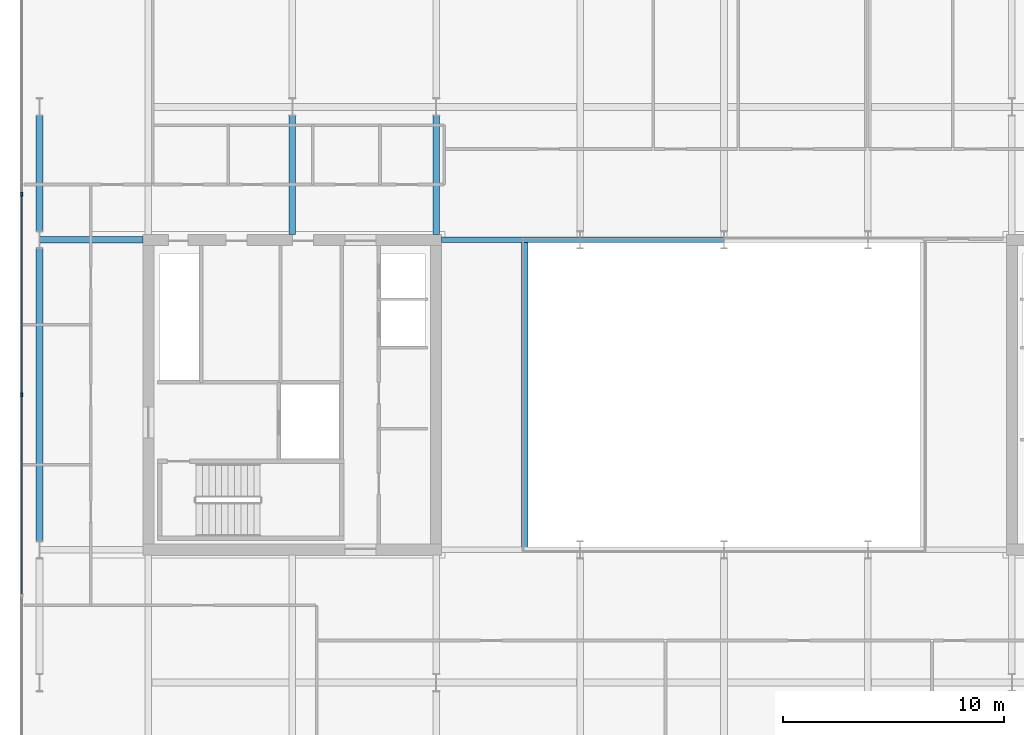
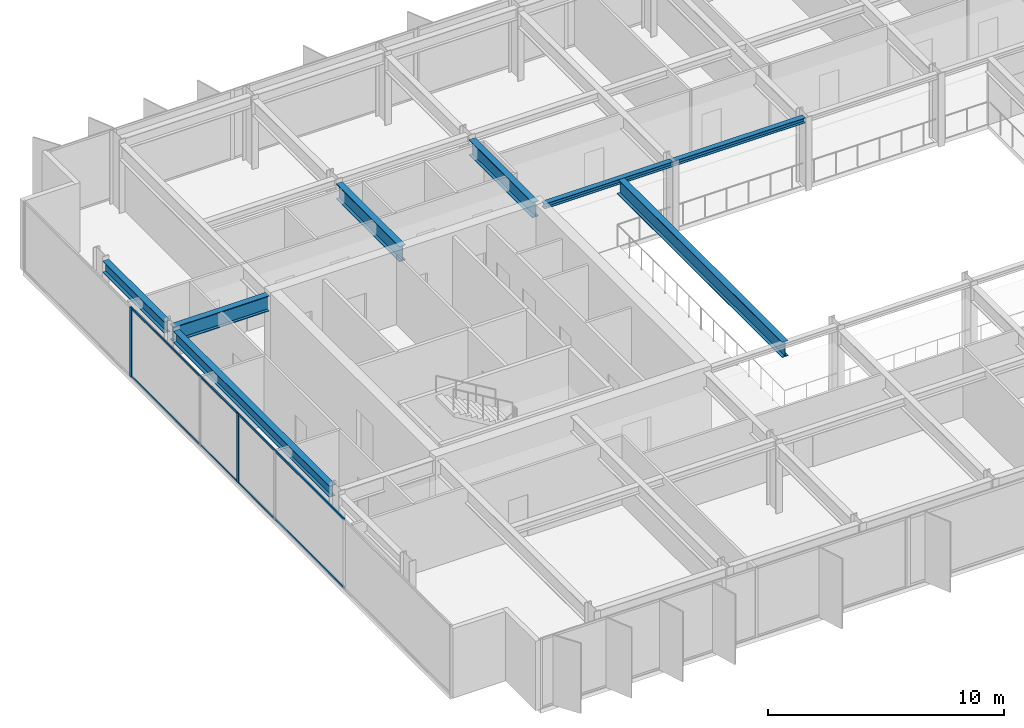
# One storey, part 4 of 19: 8 beams, 6 members, 1 element without a shape of its own.
"""IFC4 building model written with IfcOpenShell, lengths in metres."""

from ifc_helpers import new_model, si_unit, direction, frame, origin, origin_2d, place, context, subcontext, project, spatial, rectangle, i_section, extrude, material, layer, layer_set, material_profile, profile_set, type_object, element, aggregate, save


model = new_model("IFC4")

# Units and contexts
model_context = context("Model", 3, precision=1e-05, world=origin(), true_north=direction((0.0, 1.0)))
body_context = subcontext(model_context, "Body", "Model", "MODEL_VIEW")
ifc_project = project(units=[si_unit("LENGTHUNIT", "METRE"), si_unit("AREAUNIT", "SQUARE_METRE"), si_unit("VOLUMEUNIT", "CUBIC_METRE"), si_unit("PLANEANGLEUNIT", "RADIAN"), si_unit("MASSUNIT", "GRAM", prefix="KILO")], contexts=[model_context])

# Site, building, storey
site_placement = place(None, origin())
site = spatial("IfcSite", under=ifc_project, at=site_placement, CompositionType="ELEMENT")
building_placement = place(site_placement, origin())
building = spatial("IfcBuilding", under=site, at=building_placement, Name="Putna Gate Headquarters", CompositionType="ELEMENT")
storey_placement = place(building_placement, frame((0.0, 0.0, 255.60009765625)))
storey = spatial("IfcBuildingStorey", under=building, at=storey_placement, Name="L64", CompositionType="ELEMENT", Elevation=255.60009765625)

# Beams
ifc_material_1 = material(Name="Steel S355J2", Category="steel")
ifc_material_profile_1 = material_profile(ifc_material_1, i_section(OverallWidth=0.260009765625, OverallDepth=0.260009765625, WebThickness=0.010009765625, FlangeThickness=0.017578125, at=origin_2d()), Name="Steel S355J2")
ifc_profile_set_1 = profile_set([ifc_material_profile_1], Name="Steel S355J2")
beam_type_1 = type_object("IfcBeamType", Name="BM-ATRIUM-HEB260", PredefinedType="BEAM", material=ifc_profile_set_1)
beam_1_placement = place(storey_placement, frame((26.235107421875, 33.0, 3.4580078125), z_axis=(1.0, 0.0, 0.0), x_axis=(0.0, 1.0, 0.0)))
element("IfcBeam", 1, at=beam_1_placement, inside=storey, type_object=beam_type_1, Name="L64 Atrium Edge Beam AN1", PredefinedType="BEAM", context=body_context, shape_type="SweptSolid", body=[
    extrude(i_section(OverallWidth=0.260009765625, OverallDepth=0.260009765625, WebThickness=0.010009765625, FlangeThickness=0.017578125, at=origin_2d()), origin(), (0.0, 0.0, 1.0), 6.2587890625),
])
beam_2_placement = place(storey_placement, frame((32.506103515625, 33.0, 3.4580078125), z_axis=(1.0, 0.0, 0.0), x_axis=(0.0, 1.0, 0.0)))
element("IfcBeam", 2, at=beam_2_placement, inside=storey, type_object=beam_type_1, Name="L64 Atrium Edge Beam AN2", PredefinedType="BEAM", context=body_context, shape_type="SweptSolid", body=[
    extrude(i_section(OverallWidth=0.260009765625, OverallDepth=0.260009765625, WebThickness=0.010009765625, FlangeThickness=0.017578125, at=origin_2d()), origin(), (0.0, 0.0, 1.0), 6.48779296875),
])
ifc_material_profile_2 = material_profile(ifc_material_1, i_section(OverallWidth=0.300048828125, OverallDepth=0.800048828125, WebThickness=0.017578125, FlangeThickness=0.032958984375, at=origin_2d()), Name="Steel S355J2")
ifc_profile_set_2 = profile_set([ifc_material_profile_2], Name="Steel S355J2")
beam_type_2 = type_object("IfcBeamType", Name="BM-GIRD-P-HEB800", PredefinedType="USERDEFINED", material=ifc_profile_set_2)
beam_3_placement = place(storey_placement, frame((8.0859375, 33.0, 3.18798828125), z_axis=(1.0, 0.0, 0.0), x_axis=(0.0, 1.0, 0.0)))
element("IfcBeam", 3, at=beam_3_placement, inside=storey, type_object=beam_type_2, Name="L64 West Wing Girder Y33", ObjectType="GIRDER", PredefinedType="USERDEFINED", context=body_context, shape_type="SweptSolid", body=[
    extrude(i_section(OverallWidth=0.300048828125, OverallDepth=0.800048828125, WebThickness=0.017578125, FlangeThickness=0.032958984375, at=origin_2d()), origin(), (0.0, 0.0, 1.0), 4.678955078125),
])
for number, where, z_axis, x_axis, name in (
    (4, (19.5, 33.235107421875, 3.18798828125), (0.0, 1.0, 0.0), (-1.0, 0.0, 0.0), "L64 North Primary Girder X19-1"),
    (5, (26.0, 33.235107421875, 3.18798828125), (0.0, 1.0, 0.0), (-1.0, 0.0, 0.0), "L64 North Primary Girder X26-1"),
):
    element("IfcBeam", number, at=place(storey_placement, frame(where, z_axis=z_axis, x_axis=x_axis)), inside=storey, type_object=beam_type_2, Name=name, ObjectType="GIRDER", PredefinedType="USERDEFINED", context=body_context, shape_type="SweptSolid", body=[
        extrude(i_section(OverallWidth=0.300048828125, OverallDepth=0.800048828125, WebThickness=0.017578125, FlangeThickness=0.032958984375, at=origin_2d()), origin(), (0.0, 0.0, 1.0), 5.369873046875),
    ])
beam_4_placement = place(storey_placement, frame((30.0, 19.010009765625, 3.18798828125), z_axis=(0.0, 1.0, 0.0), x_axis=(-1.0, 0.0, 0.0)))
element("IfcBeam", 6, at=beam_4_placement, inside=storey, type_object=beam_type_2, Name="L64 Atrium Trim Girder AW", ObjectType="GIRDER", PredefinedType="USERDEFINED", context=body_context, shape_type="SweptSolid", body=[
    extrude(i_section(OverallWidth=0.300048828125, OverallDepth=0.800048828125, WebThickness=0.017578125, FlangeThickness=0.032958984375, at=origin_2d()), origin(), (0.0, 0.0, 1.0), 13.97998046875),
])
ifc_material_profile_3 = material_profile(ifc_material_1, i_section(OverallWidth=0.300048828125, OverallDepth=0.590087890625, WebThickness=0.012939453125, FlangeThickness=0.02490234375, at=origin_2d()), Name="Steel S355J2")
ifc_profile_set_3 = profile_set([ifc_material_profile_3], Name="Steel S355J2")
beam_type_3 = type_object("IfcBeamType", Name="BM-SPAN-Z4-HEA600", PredefinedType="SPANDREL", material=ifc_profile_set_3)
beam_5_placement = place(storey_placement, frame((8.080078125, 19.39501953125, 3.29296875), z_axis=(0.0, 1.0, 0.0), x_axis=(-1.0, 0.0, 0.0)))
element("IfcBeam", 7, at=beam_5_placement, inside=storey, type_object=beam_type_3, Name="L64 W End Spandrel 2", PredefinedType="SPANDREL", context=body_context, shape_type="SweptSolid", body=[
    extrude(i_section(OverallWidth=0.300048828125, OverallDepth=0.590087890625, WebThickness=0.012939453125, FlangeThickness=0.02490234375, at=origin_2d()), origin(), (0.0, 0.0, 1.0), 13.2099609375),
])
beam_6_placement = place(storey_placement, frame((8.080078125, 33.39501953125, 3.29296875), z_axis=(0.0, 1.0, 0.0), x_axis=(-1.0, 0.0, 0.0)))
element("IfcBeam", 8, at=beam_6_placement, inside=storey, type_object=beam_type_3, Name="L64 W End Spandrel 3", PredefinedType="SPANDREL", context=body_context, shape_type="SweptSolid", body=[
    extrude(i_section(OverallWidth=0.300048828125, OverallDepth=0.590087890625, WebThickness=0.012939453125, FlangeThickness=0.02490234375, at=origin_2d()), origin(), (0.0, 0.0, 1.0), 5.2099609375),
])

# Curtain wall, members
ifc_material_2 = material(Name="Anodised bronze aluminium curtain wall", Category="aluminium")
ifc_layer = layer(ifc_material_2, 0.179931640625)
ifc_layer_set = layer_set([ifc_layer], Name="Anodised bronze aluminium curtain wall")
curtain_wall_type = type_object("IfcCurtainWallType", Name="CW-SYS-Z5", PredefinedType="USERDEFINED", material=ifc_layer_set)
curtain_wall_placement = place(storey_placement, origin())
curtain_wall = element("IfcCurtainWall", 9, at=curtain_wall_placement, inside=storey, type_object=curtain_wall_type, Name="L64 West Curtain Wall", ObjectType="STICK CURTAIN WALL", PredefinedType="USERDEFINED")
ifc_material_3 = material(Name="Anodised bronze aluminium EN AW-6060", Category="aluminium")
ifc_material_profile_4 = material_profile(ifc_material_3, rectangle(XDim=0.070068359375, YDim=0.179931640625, at=origin_2d()), Name="Anodised bronze aluminium EN AW-6060")
ifc_profile_set_4 = profile_set([ifc_material_profile_4], Name="Anodised bronze aluminium EN AW-6060")
member_type_1 = type_object("IfcMemberType", Name="MULL-CWM-5", PredefinedType="MULLION", material=ifc_profile_set_4)
member_1_placement = place(storey_placement, frame((7.280029296875, 26.0, 0.0), z_axis=(0.0, 0.0, 1.0), x_axis=(-1.0, 0.0, 0.0)))
member_1 = element("IfcMember", 10, at=member_1_placement, type_object=member_type_1, Name="CWS-5 mullion 3", PredefinedType="MULLION", context=body_context, shape_type="SweptSolid", body=[
    extrude(rectangle(XDim=0.070068359375, YDim=0.179931640625, at=origin_2d()), origin(), (0.0, 0.0, 1.0), 3.587890625),
])
member_2_placement = place(storey_placement, frame((7.280029296875, 35.050048828125, 0.0), z_axis=(0.0, 0.0, 1.0), x_axis=(-1.0, 0.0, 0.0)))
member_2 = element("IfcMember", 11, at=member_2_placement, type_object=member_type_1, Name="CWS-5 mullion 4", PredefinedType="MULLION", context=body_context, shape_type="SweptSolid", body=[
    extrude(rectangle(XDim=0.070068359375, YDim=0.179931640625, at=origin_2d()), origin(), (0.0, 0.0, 1.0), 3.587890625),
])
ifc_material_profile_5 = material_profile(ifc_material_3, rectangle(XDim=0.06005859375, YDim=0.10009765625, at=origin_2d()), Name="Anodised bronze aluminium EN AW-6060")
ifc_profile_set_5 = profile_set([ifc_material_profile_5], Name="Anodised bronze aluminium EN AW-6060")
member_type_2 = type_object("IfcMemberType", Name="TRAN-CWT-5", PredefinedType="USERDEFINED", material=ifc_profile_set_5)
member_3_placement = place(storey_placement, frame((7.280029296875, 16.985107421875, 0.02978515625), z_axis=(0.0, 1.0, 0.0), x_axis=(-1.0, 0.0, 0.0)))
member_3 = element("IfcMember", 12, at=member_3_placement, type_object=member_type_2, Name="CWS-5 transom 2.1", ObjectType="TRANSOM", PredefinedType="USERDEFINED", context=body_context, shape_type="SweptSolid", body=[
    extrude(rectangle(XDim=0.06005859375, YDim=0.10009765625, at=origin_2d()), origin(), (0.0, 0.0, 1.0), 8.97998046875),
])
member_4_placement = place(storey_placement, frame((7.280029296875, 16.985107421875, 3.557861328125), z_axis=(0.0, 1.0, 0.0), x_axis=(-1.0, 0.0, 0.0)))
member_4 = element("IfcMember", 13, at=member_4_placement, type_object=member_type_2, Name="CWS-5 transom 2.2", ObjectType="TRANSOM", PredefinedType="USERDEFINED", context=body_context, shape_type="SweptSolid", body=[
    extrude(rectangle(XDim=0.06005859375, YDim=0.10009765625, at=origin_2d()), origin(), (0.0, 0.0, 1.0), 8.97998046875),
])
member_5_placement = place(storey_placement, frame((7.280029296875, 26.034912109375, 0.02978515625), z_axis=(0.0, 1.0, 0.0), x_axis=(-1.0, 0.0, 0.0)))
member_5 = element("IfcMember", 14, at=member_5_placement, type_object=member_type_2, Name="CWS-5 transom 3.1", ObjectType="TRANSOM", PredefinedType="USERDEFINED", context=body_context, shape_type="SweptSolid", body=[
    extrude(rectangle(XDim=0.06005859375, YDim=0.10009765625, at=origin_2d()), origin(), (0.0, 0.0, 1.0), 8.97998046875),
])
member_6_placement = place(storey_placement, frame((7.280029296875, 26.034912109375, 3.557861328125), z_axis=(0.0, 1.0, 0.0), x_axis=(-1.0, 0.0, 0.0)))
member_6 = element("IfcMember", 15, at=member_6_placement, type_object=member_type_2, Name="CWS-5 transom 3.2", ObjectType="TRANSOM", PredefinedType="USERDEFINED", context=body_context, shape_type="SweptSolid", body=[
    extrude(rectangle(XDim=0.06005859375, YDim=0.10009765625, at=origin_2d()), origin(), (0.0, 0.0, 1.0), 8.97998046875),
])
aggregate(curtain_wall, [member_1, member_2, member_3, member_4, member_5, member_6])

save(model, "model.ifc")
